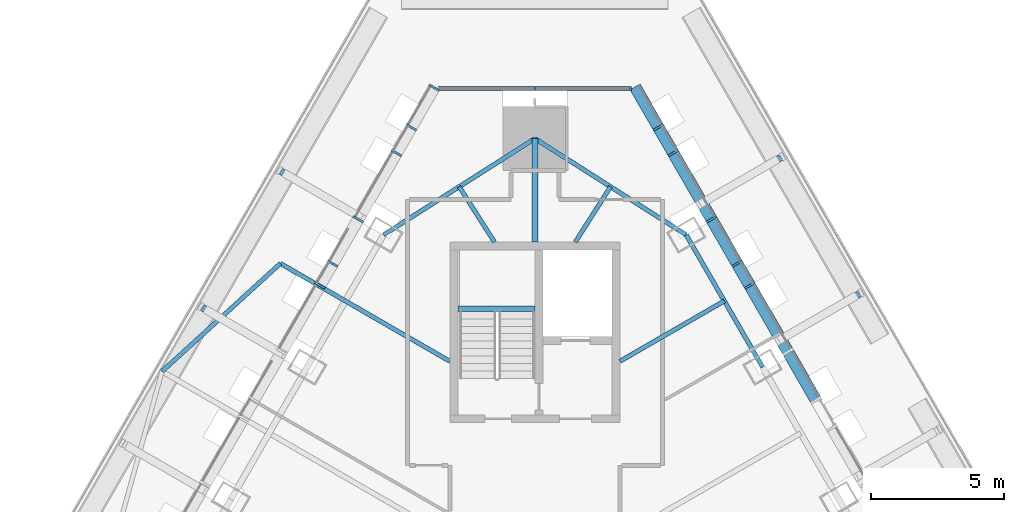
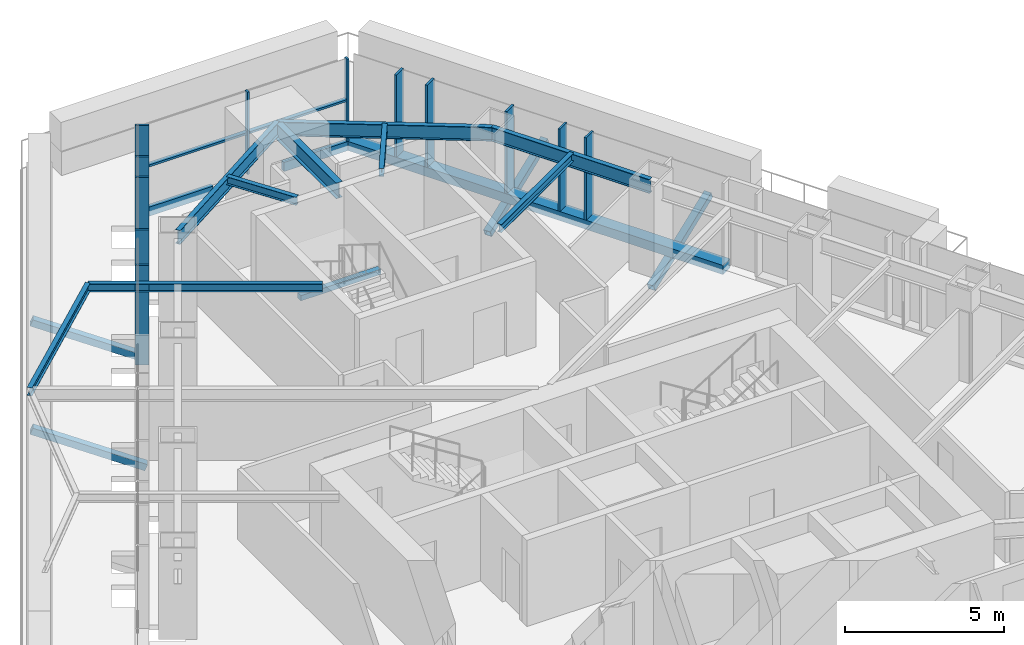
# One storey, part 5 of 16: 22 members, 10 beams, 3 elements without a shape of their own.
"""IFC4 building model written with IfcOpenShell, lengths in metres."""

from ifc_helpers import new_model, si_unit, direction, frame, origin, origin_2d, place, context, subcontext, project, spatial, rectangle, hollow_rectangle, i_section, extrude, material, layer, layer_set, material_profile, profile_set, type_object, element, aggregate, save


model = new_model("IFC4")

# Units and contexts
model_context = context("Model", 3, precision=1e-05, world=origin(), true_north=direction((0.0, 1.0)))
body_context = subcontext(model_context, "Body", "Model", "MODEL_VIEW")
ifc_project = project(units=[si_unit("LENGTHUNIT", "METRE"), si_unit("AREAUNIT", "SQUARE_METRE"), si_unit("VOLUMEUNIT", "CUBIC_METRE"), si_unit("PLANEANGLEUNIT", "RADIAN"), si_unit("MASSUNIT", "GRAM", prefix="KILO")], contexts=[model_context])

# Site, building, storey
site_placement = place(None, origin())
site = spatial("IfcSite", under=ifc_project, at=site_placement, CompositionType="ELEMENT")
building_placement = place(site_placement, origin())
building = spatial("IfcBuilding", under=site, at=building_placement, Name="Firuza Gate Tower and Library", CompositionType="ELEMENT")
storey_placement = place(building_placement, frame((0.0, 0.0, 319.60009765625)))
storey = spatial("IfcBuildingStorey", under=building, at=storey_placement, Name="L78", CompositionType="ELEMENT", Elevation=319.60009765625)

# Curtain wall, members
ifc_material_1 = material(Name="Aluminium 6063-T6", Category="aluminium")
ifc_layer_1 = layer(ifc_material_1, 0.14990234375)
ifc_layer_set_1 = layer_set([ifc_layer_1], Name="Corner curtain wall, chamfers")
curtain_wall_type_1 = type_object("IfcCurtainWallType", Name="Corner curtain wall, chamfers", PredefinedType="NOTDEFINED", material=ifc_layer_set_1)
placement = place(storey_placement, origin())
curtain_wall_1 = element("IfcCurtainWall", 1, at=placement, inside=storey, type_object=curtain_wall_type_1, Name="CW4 L78 N corner", PredefinedType="NOTDEFINED")
ifc_material_2 = material(Name="Aluminium 6063-T6", Category="aluminium")
ifc_material_profile_1 = material_profile(ifc_material_2, rectangle(XDim=0.14990234375, YDim=0.080078125, at=origin_2d()))
ifc_profile_set_1 = profile_set([ifc_material_profile_1], Name="Aluminium 6063-T6")
member_type_1 = type_object("IfcMemberType", Name="Curtain wall mullion 80x150", PredefinedType="MULLION", material=ifc_profile_set_1)
member_1_placement = place(storey_placement, frame((78.603271484375, 100.36767578125, 0.14990234375), z_axis=(0.0, 0.0, 1.0), x_axis=(0.0, -1.0, 0.0)))
member_1 = element("IfcMember", 2, at=member_1_placement, type_object=member_type_1, Name="Mullion", PredefinedType="MULLION", context=body_context, shape_type="SweptSolid", body=[
    extrude(rectangle(XDim=0.14990234375, YDim=0.080078125, at=origin_2d()), origin(), (0.0, 0.0, 1.0), 3.14990234375),
])
member_2_placement = place(storey_placement, frame((75.0, 100.36767578125, 0.14990234375), z_axis=(0.0, 0.0, 1.0), x_axis=(0.0, -1.0, 0.0)))
member_2 = element("IfcMember", 3, at=member_2_placement, type_object=member_type_1, Name="Mullion", PredefinedType="MULLION", context=body_context, shape_type="SweptSolid", body=[
    extrude(rectangle(XDim=0.14990234375, YDim=0.080078125, at=origin_2d()), origin(), (0.0, 0.0, 1.0), 3.14990234375),
])

ifc_material_3 = material(Name="Aluminium 6063-T6", Category="aluminium")
ifc_layer_2 = layer(ifc_material_3, 0.14990234375)
ifc_layer_set_2 = layer_set([ifc_layer_2], Name="Unitised curtain wall, residences")
curtain_wall_type_2 = type_object("IfcCurtainWallType", Name="Unitised curtain wall, residences", PredefinedType="NOTDEFINED", material=ifc_layer_set_2)
curtain_wall_2 = element("IfcCurtainWall", 4, at=placement, inside=storey, type_object=curtain_wall_type_2, Name="CW3 L78 E face", PredefinedType="NOTDEFINED")
ifc_material_4 = material(Name="Aluminium 6063-T6", Category="aluminium")
ifc_material_profile_2 = material_profile(ifc_material_4, rectangle(XDim=0.43994140625, YDim=0.080078125, at=origin_2d()))
ifc_profile_set_2 = profile_set([ifc_material_profile_2], Name="Aluminium 6063-T6")
member_type_2 = type_object("IfcMemberType", Name="Curtain wall mullion 80x440", PredefinedType="MULLION", material=ifc_profile_set_2)
member_3_placement = place(storey_placement, frame((83.086181640625, 92.96240234375, 0.14990234375), z_axis=(0.0, 0.0, 1.0), x_axis=(-0.866025403784, -0.5, 0.0)))
member_3 = element("IfcMember", 5, at=member_3_placement, type_object=member_type_2, Name="Mullion", PredefinedType="MULLION", context=body_context, shape_type="SweptSolid", body=[
    extrude(rectangle(XDim=0.43994140625, YDim=0.080078125, at=origin_2d()), origin(), (0.0, 0.0, 1.0), 3.14990234375),
])
member_4_placement = place(storey_placement, frame((81.64697265625, 95.454833984375, 0.14990234375), z_axis=(0.0, 0.0, 1.0), x_axis=(-0.866025403784, -0.5, 0.0)))
member_4 = element("IfcMember", 6, at=member_4_placement, type_object=member_type_2, Name="Mullion", PredefinedType="MULLION", context=body_context, shape_type="SweptSolid", body=[
    extrude(rectangle(XDim=0.43994140625, YDim=0.080078125, at=origin_2d()), origin(), (0.0, 0.0, 1.0), 3.14990234375),
])
member_5_placement = place(storey_placement, frame((80.2080078125, 97.947509765625, 0.14990234375), z_axis=(0.0, 0.0, 1.0), x_axis=(-0.866025403784, -0.5, 0.0)))
member_5 = element("IfcMember", 7, at=member_5_placement, type_object=member_type_2, Name="Mullion", PredefinedType="MULLION", context=body_context, shape_type="SweptSolid", body=[
    extrude(rectangle(XDim=0.43994140625, YDim=0.080078125, at=origin_2d()), origin(), (0.0, 0.0, 1.0), 3.14990234375),
])
member_6_placement = place(storey_placement, frame((82.6103515625, 93.78662109375, 0.14990234375), z_axis=(0.0, 0.0, 1.0), x_axis=(-0.866025403784, -0.5, 0.0)))
member_6 = element("IfcMember", 8, at=member_6_placement, type_object=member_type_2, Name="Mullion", PredefinedType="MULLION", context=body_context, shape_type="SweptSolid", body=[
    extrude(rectangle(XDim=0.43994140625, YDim=0.080078125, at=origin_2d()), origin(), (0.0, 0.0, 1.0), 3.14990234375),
])
member_7_placement = place(storey_placement, frame((79.650390625, 98.913330078125, 0.14990234375), z_axis=(0.0, 0.0, 1.0), x_axis=(-0.866025403784, -0.5, 0.0)))
member_7 = element("IfcMember", 9, at=member_7_placement, type_object=member_type_2, Name="Mullion", PredefinedType="MULLION", context=body_context, shape_type="SweptSolid", body=[
    extrude(rectangle(XDim=0.43994140625, YDim=0.080078125, at=origin_2d()), origin(), (0.0, 0.0, 1.0), 3.14990234375),
])

curtain_wall_3 = element("IfcCurtainWall", 10, at=placement, inside=storey, type_object=curtain_wall_type_2, Name="CW3 L78 W face", PredefinedType="NOTDEFINED")
member_8_placement = place(storey_placement, frame((71.211181640625, 100.405517578125, 0.14990234375), z_axis=(0.0, 0.0, 1.0), x_axis=(0.866025403784, -0.5, 0.0)))
member_8 = element("IfcMember", 11, at=member_8_placement, type_object=member_type_2, Name="Mullion", PredefinedType="MULLION", context=body_context, shape_type="SweptSolid", body=[
    extrude(rectangle(XDim=0.43994140625, YDim=0.080078125, at=origin_2d()), origin(), (0.0, 0.0, 1.0), 3.14990234375),
])
member_9_placement = place(storey_placement, frame((69.7919921875, 97.947509765625, 0.14990234375), z_axis=(0.0, 0.0, 1.0), x_axis=(0.866025403784, -0.5, 0.0)))
member_9 = element("IfcMember", 12, at=member_9_placement, type_object=member_type_2, Name="Mullion", PredefinedType="MULLION", context=body_context, shape_type="SweptSolid", body=[
    extrude(rectangle(XDim=0.43994140625, YDim=0.080078125, at=origin_2d()), origin(), (0.0, 0.0, 1.0), 3.14990234375),
])
member_10_placement = place(storey_placement, frame((68.35302734375, 95.454833984375, 0.14990234375), z_axis=(0.0, 0.0, 1.0), x_axis=(0.866025403784, -0.5, 0.0)))
member_10 = element("IfcMember", 13, at=member_10_placement, type_object=member_type_2, Name="Mullion", PredefinedType="MULLION", context=body_context, shape_type="SweptSolid", body=[
    extrude(rectangle(XDim=0.43994140625, YDim=0.080078125, at=origin_2d()), origin(), (0.0, 0.0, 1.0), 3.14990234375),
])
member_11_placement = place(storey_placement, frame((66.913818359375, 92.96240234375, 0.14990234375), z_axis=(0.0, 0.0, 1.0), x_axis=(0.866025403784, -0.5, 0.0)))
member_11 = element("IfcMember", 14, at=member_11_placement, type_object=member_type_2, Name="Mullion", PredefinedType="MULLION", context=body_context, shape_type="SweptSolid", body=[
    extrude(rectangle(XDim=0.43994140625, YDim=0.080078125, at=origin_2d()), origin(), (0.0, 0.0, 1.0), 3.14990234375),
])
member_12_placement = place(storey_placement, frame((70.349609375, 98.913330078125, 0.14990234375), z_axis=(0.0, 0.0, 1.0), x_axis=(0.866025403784, -0.5, 0.0)))
member_12 = element("IfcMember", 15, at=member_12_placement, type_object=member_type_2, Name="Mullion", PredefinedType="MULLION", context=body_context, shape_type="SweptSolid", body=[
    extrude(rectangle(XDim=0.43994140625, YDim=0.080078125, at=origin_2d()), origin(), (0.0, 0.0, 1.0), 3.14990234375),
])
member_13_placement = place(storey_placement, frame((67.3896484375, 93.78662109375, 0.14990234375), z_axis=(0.0, 0.0, 1.0), x_axis=(0.866025403784, -0.5, 0.0)))
member_13 = element("IfcMember", 16, at=member_13_placement, type_object=member_type_2, Name="Mullion", PredefinedType="MULLION", context=body_context, shape_type="SweptSolid", body=[
    extrude(rectangle(XDim=0.43994140625, YDim=0.080078125, at=origin_2d()), origin(), (0.0, 0.0, 1.0), 3.14990234375),
])
aggregate(curtain_wall_3, [member_8, member_9, member_10, member_11, member_12, member_13])

# Member
ifc_material_5 = material(Name="Aluminium 6063-T6", Category="aluminium")
ifc_material_profile_3 = material_profile(ifc_material_5, rectangle(XDim=0.14990234375, YDim=0.35009765625, at=origin_2d()))
ifc_profile_set_3 = profile_set([ifc_material_profile_3], Name="Aluminium 6063-T6")
member_type_3 = type_object("IfcMemberType", Name="Curtain wall transom 350x150", PredefinedType="USERDEFINED", material=ifc_profile_set_3)
member_14_placement = place(storey_placement, frame((78.643310546875, 100.36767578125, -0.025146484375), z_axis=(-1.0, 0.0, 0.0), x_axis=(0.0, -1.0, 0.0)))
member_14 = element("IfcMember", 17, at=member_14_placement, type_object=member_type_3, Name="Transom", ObjectType="TRANSOM", PredefinedType="USERDEFINED", context=body_context, shape_type="SweptSolid", body=[
    extrude(rectangle(XDim=0.14990234375, YDim=0.35009765625, at=origin_2d()), origin(), (0.0, 0.0, 1.0), 2.36328125),
])

member_15_placement = place(storey_placement, frame((73.719970703125, 100.36767578125, -0.025146484375), z_axis=(-1.0, 0.0, 0.0), x_axis=(0.0, -1.0, 0.0)))
member_15 = element("IfcMember", 18, at=member_15_placement, type_object=member_type_3, Name="Transom", ObjectType="TRANSOM", PredefinedType="USERDEFINED", context=body_context, shape_type="SweptSolid", body=[
    extrude(rectangle(XDim=0.14990234375, YDim=0.35009765625, at=origin_2d()), origin(), (0.0, 0.0, 1.0), 2.36328125),
])

ifc_material_6 = material(Name="Aluminium 6063-T6", Category="aluminium")
ifc_material_profile_4 = material_profile(ifc_material_6, rectangle(XDim=0.43994140625, YDim=0.35009765625, at=origin_2d()))
ifc_profile_set_4 = profile_set([ifc_material_profile_4], Name="Aluminium 6063-T6")
member_type_4 = type_object("IfcMemberType", Name="Curtain wall transom 350x440", PredefinedType="USERDEFINED", material=ifc_profile_set_4)
member_16_placement = place(storey_placement, frame((85.578369140625, 88.6455078125, -0.025146484375), z_axis=(-0.500002803175, 0.866023785365, 0.0), x_axis=(-0.866023785365, -0.500002803175, 0.0)))
member_16 = element("IfcMember", 19, at=member_16_placement, type_object=member_type_4, Name="Transom", ObjectType="TRANSOM", PredefinedType="USERDEFINED", context=body_context, shape_type="SweptSolid", body=[
    extrude(rectangle(XDim=0.43994140625, YDim=0.35009765625, at=origin_2d()), origin(), (0.0, 0.0, 1.0), 13.619140625),
])

aggregate(curtain_wall_2, [member_3, member_4, member_5, member_16, member_6, member_7])

ifc_material_7 = material(Name="Aluminium 6063-T6", Category="aluminium")
ifc_material_profile_5 = material_profile(ifc_material_7, rectangle(XDim=0.14990234375, YDim=0.080078125, at=origin_2d()))
ifc_profile_set_5 = profile_set([ifc_material_profile_5], Name="Aluminium 6063-T6")
member_type_5 = type_object("IfcMemberType", Name="Curtain wall transom 80x150", PredefinedType="USERDEFINED", material=ifc_profile_set_5)
member_17_placement = place(storey_placement, frame((78.603271484375, 100.36767578125, 1.724853515625), z_axis=(-1.0, 0.0, 0.0), x_axis=(0.0, -1.0, 0.0)))
member_17 = element("IfcMember", 20, at=member_17_placement, type_object=member_type_5, Name="Transom", ObjectType="TRANSOM", PredefinedType="USERDEFINED", context=body_context, shape_type="SweptSolid", body=[
    extrude(rectangle(XDim=0.14990234375, YDim=0.080078125, at=origin_2d()), origin(), (0.0, 0.0, 1.0), 3.563232421875),
])

member_18_placement = place(storey_placement, frame((74.9599609375, 100.36767578125, 1.724853515625), z_axis=(-1.0, 0.0, 0.0), x_axis=(0.0, -1.0, 0.0)))
member_18 = element("IfcMember", 21, at=member_18_placement, type_object=member_type_5, Name="Transom", ObjectType="TRANSOM", PredefinedType="USERDEFINED", context=body_context, shape_type="SweptSolid", body=[
    extrude(rectangle(XDim=0.14990234375, YDim=0.080078125, at=origin_2d()), origin(), (0.0, 0.0, 1.0), 3.563232421875),
])

aggregate(curtain_wall_1, [member_1, member_2, member_14, member_15, member_17, member_18])

# Members
ifc_material_8 = material(Name="Steel S355", Category="steel")
ifc_material_profile_6 = material_profile(ifc_material_8, hollow_rectangle(XDim=0.25390625, YDim=0.25390625, WallThickness=0.01171875, at=origin_2d()))
ifc_profile_set_6 = profile_set([ifc_material_profile_6], Name="Steel S355")
member_type_6 = type_object("IfcMemberType", Name="HSS254x254x13 Tray strut", PredefinedType="BRACE", material=ifc_profile_set_6)
member_19_placement = place(storey_placement, frame((84.140625, 90.87744140625, -1.670166015625), z_axis=(0.807122458648, 0.466007352202, 0.362478253747), x_axis=(-0.500012057535, 0.866018442252, 0.0)))
element("IfcMember", 22, at=member_19_placement, inside=storey, type_object=member_type_6, Name="Tray strut L78 col:L77:E5", PredefinedType="BRACE", context=body_context, shape_type="SweptSolid", body=[
    extrude(hollow_rectangle(XDim=0.25390625, YDim=0.25390625, WallThickness=0.01171875, at=origin_2d()), origin(), (0.0, 0.0, 1.0), 3.86279296875),
])
member_20_placement = place(storey_placement, frame((81.180419921875, 96.00439453125, -1.670166015625), z_axis=(0.807146230908, 0.465957871124, 0.362488929856), x_axis=(-0.499961193289, 0.866047807691, 0.0)))
element("IfcMember", 23, at=member_20_placement, inside=storey, type_object=member_type_6, Name="Tray strut L78 col:L77:E6", PredefinedType="BRACE", context=body_context, shape_type="SweptSolid", body=[
    extrude(hollow_rectangle(XDim=0.25390625, YDim=0.25390625, WallThickness=0.01171875, at=origin_2d()), origin(), (0.0, 0.0, 1.0), 3.862548828125),
])
member_21_placement = place(storey_placement, frame((68.51953125, 95.484619140625, -1.670166015625), z_axis=(-0.807122458648, 0.466007352202, 0.362478253747), x_axis=(-0.500012057535, -0.866018442252, 0.0)))
element("IfcMember", 24, at=member_21_placement, inside=storey, type_object=member_type_6, Name="Tray strut L78 col:L77:W1", PredefinedType="BRACE", context=body_context, shape_type="SweptSolid", body=[
    extrude(hollow_rectangle(XDim=0.25390625, YDim=0.25390625, WallThickness=0.01171875, at=origin_2d()), origin(), (0.0, 0.0, 1.0), 3.86279296875),
])
member_22_placement = place(storey_placement, frame((65.5595703125, 90.35791015625, -1.670166015625), z_axis=(-0.807146230908, 0.465957871124, 0.362488929856), x_axis=(-0.499961193289, -0.866047807691, 0.0)))
element("IfcMember", 25, at=member_22_placement, inside=storey, type_object=member_type_6, Name="Tray strut L78 col:L77:W2", PredefinedType="BRACE", context=body_context, shape_type="SweptSolid", body=[
    extrude(hollow_rectangle(XDim=0.25390625, YDim=0.25390625, WallThickness=0.01171875, at=origin_2d()), origin(), (0.0, 0.0, 1.0), 3.862548828125),
])

# Beams
ifc_material_9 = material(Name="Concrete C35/45", Category="concrete")
ifc_material_profile_7 = material_profile(ifc_material_9, rectangle(XDim=0.199951171875, YDim=0.199951171875, at=origin_2d()))
ifc_profile_set_7 = profile_set([ifc_material_profile_7], Name="Concrete C35/45")
beam_type_1 = type_object("IfcBeamType", Name="Stair landing bearer 200x200", PredefinedType="BEAM", material=ifc_profile_set_7)
beam_1_placement = place(storey_placement, frame((75.0, 92.090087890625, 1.449951171875), z_axis=(-1.0, 0.0, 0.0), x_axis=(0.0, -1.0, 0.0)))
element("IfcBeam", 26, at=beam_1_placement, inside=storey, type_object=beam_type_1, Name="Landing bearer L78 stair 3", PredefinedType="BEAM", context=body_context, shape_type="SweptSolid", body=[
    extrude(rectangle(XDim=0.199951171875, YDim=0.199951171875, at=origin_2d()), origin(), (0.0, 0.0, 1.0), 2.89990234375),
])
ifc_material_10 = material(Name="Steel S355", Category="steel")
ifc_material_profile_8 = material_profile(ifc_material_10, i_section(OverallWidth=0.1650390625, OverallDepth=0.31005859375, WebThickness=0.005859375, FlangeThickness=0.009765625, at=origin_2d()))
ifc_profile_set_8 = profile_set([ifc_material_profile_8], Name="Steel S355")
beam_type_2 = type_object("IfcBeamType", Name="W310x39 Floor beam", PredefinedType="JOIST", material=ifc_profile_set_8)
beam_2_placement = place(storey_placement, frame((82.128662109375, 92.380859375, 3.14501953125), z_axis=(-0.866042194538, -0.499970916434, 0.0), x_axis=(0.499970916434, -0.866042194538, 0.0)))
element("IfcBeam", 27, at=beam_2_placement, inside=storey, type_object=beam_type_2, Name="Floor beam L78 s54", PredefinedType="JOIST", context=body_context, shape_type="SweptSolid", body=[
    extrude(i_section(OverallWidth=0.1650390625, OverallDepth=0.31005859375, WebThickness=0.005859375, FlangeThickness=0.009765625, at=origin_2d()), origin(), (0.0, 0.0, 1.0), 4.536376953125),
])
for number, where, z_axis, x_axis, name in (
    (28, (77.84619140625, 96.680419921875, 3.14501953125), (-0.537054838033, -0.843547331775, 0.0), (0.843547331775, -0.537054838033, 0.0), "Floor beam L78 s60"),
    (29, (72.15380859375, 96.680419921875, 3.14501953125), (0.537054838033, -0.843547331775, 0.0), (0.843547331775, 0.537054838033, 0.0), "Floor beam L78 s70"),
):
    element("IfcBeam", number, at=place(storey_placement, frame(where, z_axis=z_axis, x_axis=x_axis)), inside=storey, type_object=beam_type_2, Name=name, PredefinedType="JOIST", context=body_context, shape_type="SweptSolid", body=[
        extrude(i_section(OverallWidth=0.1650390625, OverallDepth=0.31005859375, WebThickness=0.005859375, FlangeThickness=0.009765625, at=origin_2d()), origin(), (0.0, 0.0, 1.0), 2.466064453125),
    ])
beam_3_placement = place(storey_placement, frame((65.425537109375, 93.79296875, 3.14501953125), z_axis=(0.866034244153, -0.49998468772, 0.0), x_axis=(0.49998468772, 0.866034244153, 0.0)))
element("IfcBeam", 30, at=beam_3_placement, inside=storey, type_object=beam_type_2, Name="Floor beam L78 s80", PredefinedType="JOIST", context=body_context, shape_type="SweptSolid", body=[
    extrude(i_section(OverallWidth=0.1650390625, OverallDepth=0.31005859375, WebThickness=0.005859375, FlangeThickness=0.009765625, at=origin_2d()), origin(), (0.0, 0.0, 1.0), 7.360595703125),
])
beam_4_placement = place(storey_placement, frame((65.425537109375, 93.79296875, 3.14501953125), z_axis=(-0.73884669316, -0.673873551941, 0.0), x_axis=(0.673873551941, -0.73884669316, 0.0)))
element("IfcBeam", 31, at=beam_4_placement, inside=storey, type_object=beam_type_2, Name="Tray edge beam L78 s80-s81", PredefinedType="JOIST", context=body_context, shape_type="SweptSolid", body=[
    extrude(i_section(OverallWidth=0.1650390625, OverallDepth=0.31005859375, WebThickness=0.005859375, FlangeThickness=0.009765625, at=origin_2d()), origin(), (0.0, 0.0, 1.0), 6.027099609375),
])
ifc_material_11 = material(Name="Steel S355", Category="steel")
ifc_material_profile_9 = material_profile(ifc_material_11, i_section(OverallWidth=0.166015625, OverallDepth=0.534912109375, WebThickness=0.01025390625, FlangeThickness=0.0166015625, at=origin_2d()))
ifc_profile_set_9 = profile_set([ifc_material_profile_9], Name="Steel S355")
beam_type_3 = type_object("IfcBeamType", Name="W530x85 Edge beam", PredefinedType="SPANDREL", material=ifc_profile_set_9)
beam_5_placement = place(storey_placement, frame((83.564697265625, 89.8935546875, 3.032470703125), z_axis=(-0.499997160258, 0.866027043304, 0.0), x_axis=(-0.866027043304, -0.499997160258, 0.0)))
element("IfcBeam", 32, at=beam_5_placement, inside=storey, type_object=beam_type_3, Name="Edge beam L78 e54", PredefinedType="SPANDREL", context=body_context, shape_type="SweptSolid", body=[
    extrude(i_section(OverallWidth=0.166015625, OverallDepth=0.534912109375, WebThickness=0.01025390625, FlangeThickness=0.0166015625, at=origin_2d()), origin(), (0.0, 0.0, 1.0), 5.744140625),
])
for number, where, z_axis, x_axis, name in (
    (33, (80.692626953125, 94.8681640625, 3.032470703125), (-0.843531865482, 0.537079130032, 0.0), (-0.537079130032, -0.843531865482, 0.0), "Edge beam L78 e60"),
    (34, (75.0, 98.49267578125, 3.032470703125), (-0.843531865482, -0.537079130032, 0.0), (0.537079130032, -0.843531865482, 0.0), "Edge beam L78 e70"),
):
    element("IfcBeam", number, at=place(storey_placement, frame(where, z_axis=z_axis, x_axis=x_axis)), inside=storey, type_object=beam_type_3, Name=name, PredefinedType="SPANDREL", context=body_context, shape_type="SweptSolid", body=[
        extrude(i_section(OverallWidth=0.166015625, OverallDepth=0.534912109375, WebThickness=0.01025390625, FlangeThickness=0.0166015625, at=origin_2d()), origin(), (0.0, 0.0, 1.0), 6.74853515625),
    ])
ifc_material_12 = material(Name="Steel S355", Category="steel")
ifc_material_profile_10 = material_profile(ifc_material_12, i_section(OverallWidth=0.22802734375, OverallDepth=0.60302734375, WebThickness=0.010498046875, FlangeThickness=0.014892578125, at=origin_2d()))
ifc_profile_set_10 = profile_set([ifc_material_profile_10], Name="Steel S355")
beam_type_4 = type_object("IfcBeamType", Name="W610x101 Girder", PredefinedType="BEAM", material=ifc_profile_set_10)
beam_6_placement = place(storey_placement, frame((75.0, 98.49267578125, 2.998291015625), z_axis=(0.0, -1.0, 0.0), x_axis=(1.0, 0.0, 0.0)))
element("IfcBeam", 35, at=beam_6_placement, inside=storey, type_object=beam_type_4, Name="Girder L78 gN", PredefinedType="BEAM", context=body_context, shape_type="SweptSolid", body=[
    extrude(i_section(OverallWidth=0.22802734375, OverallDepth=0.60302734375, WebThickness=0.010498046875, FlangeThickness=0.014892578125, at=origin_2d()), origin(), (0.0, 0.0, 1.0), 3.892578125),
])

save(model, "model.ifc")
